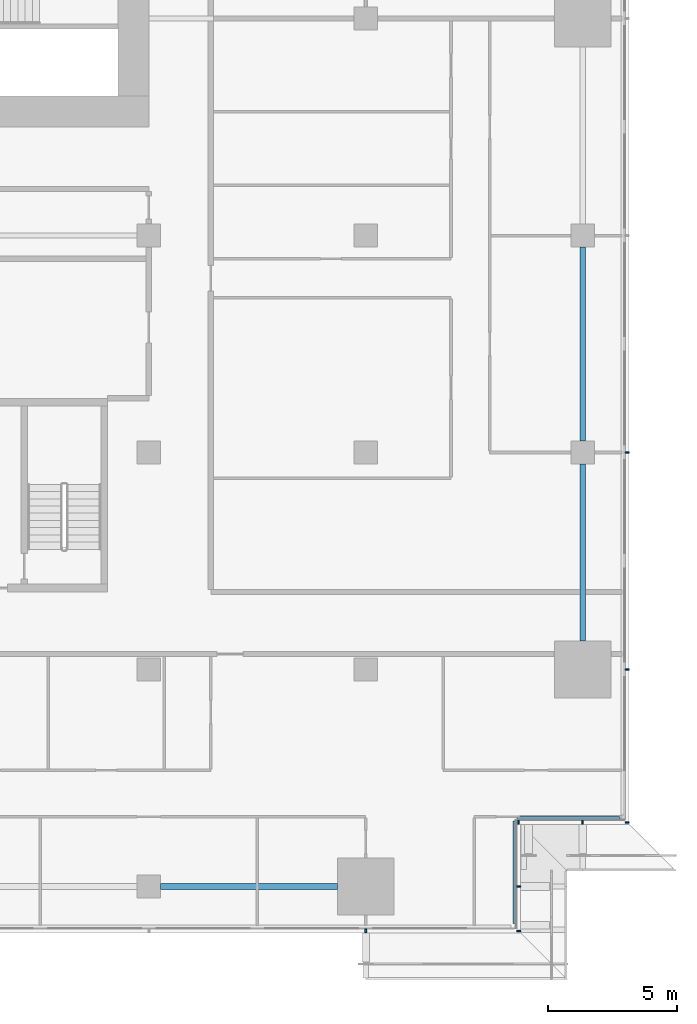
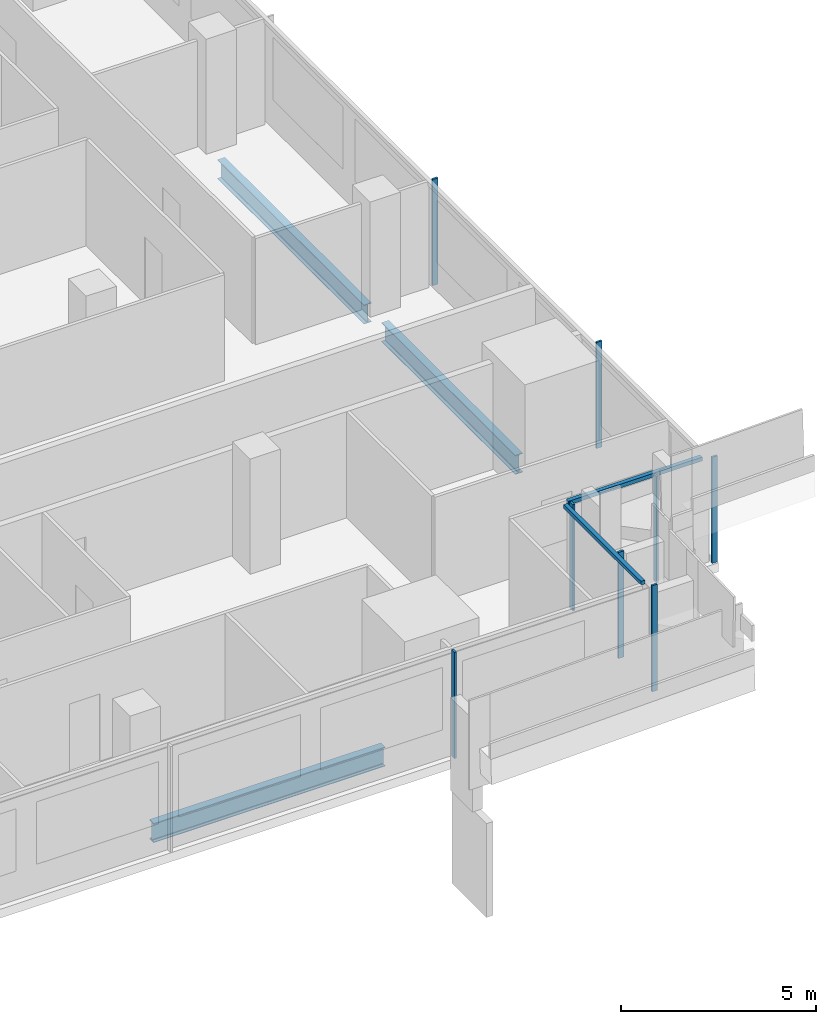
# One storey, part 13 of 30: 10 members, 3 beams, 4 elements without a shape of their own.
"""IFC4 building model written with IfcOpenShell, lengths in metres."""

import ifcopenshell
import ifcopenshell.guid

model = None  # the IFC model being written
_history = None  # IfcOwnerHistory: only IFC2X3 demands one
_inside = {}  # id of a spatial element -> (the spatial element, [elements in it])
_under = {}  # id of a project, library or spatial element -> (it, [spatial elements below it])
_declared = {}  # id of a project -> (the project, [libraries it declares])
_typed = {}  # id of a type object -> (the type object, [elements of that type])
_made_of = {}  # id of a material, layer set ... -> (it, [elements and type objects made of it])


def new_model(schema):
    """Start an empty IFC model of exactly this schema.

    Asked for "IFC4X3", IfcOpenShell would pick the latest addendum, in which some entities
    have other attributes; the version numbers below select the first issue.
    IFC2X3 requires an IfcOwnerHistory on every rooted entity: one is made here for all.
    """
    global model, _history
    if schema == "IFC4X3":
        model = ifcopenshell.file(schema_version=(4, 3, 0, 0))
    else:
        model = ifcopenshell.file(schema=schema)
    _inside.clear()
    _under.clear()
    _declared.clear()
    _typed.clear()
    _made_of.clear()
    _history = None
    if model.schema == "IFC2X3":
        org = make("IfcOrganization", Name="unknown")
        user = make(
            "IfcPersonAndOrganization",
            ThePerson=make("IfcPerson", FamilyName="unknown"),
            TheOrganization=org,
        )
        app = make(
            "IfcApplication",
            ApplicationDeveloper=org,
            Version="unknown",
            ApplicationFullName="unknown",
            ApplicationIdentifier="unknown",
        )
        _history = make(
            "IfcOwnerHistory",
            OwningUser=user,
            OwningApplication=app,
            ChangeAction="ADDED",
            CreationDate=0,
        )
    return model


def make(cls, **values):
    """One entity of the class cls with the attributes given. An attribute that is None is left unset."""
    return model.create_entity(
        cls, **{name: value for name, value in values.items() if value is not None}
    )


def rooted(cls, **values):
    """An entity with a GlobalId (a new one), such as an element, a storey or a relation."""
    return make(cls, GlobalId=ifcopenshell.guid.new(), OwnerHistory=_history, **values)


def si_unit(unit_type, name, prefix=None):
    """IfcSIUnit, for example si_unit("LENGTHUNIT", "METRE", prefix="MILLI")."""
    return make("IfcSIUnit", UnitType=unit_type, Prefix=prefix, Name=name)


def assignment(units):
    """IfcUnitAssignment: the units of a project."""
    return None if units is None else make("IfcUnitAssignment", Units=units)


def point(xyz):
    """IfcCartesianPoint."""
    return None if xyz is None else make("IfcCartesianPoint", Coordinates=xyz)


def direction(xyz):
    """IfcDirection."""
    return None if xyz is None else make("IfcDirection", DirectionRatios=xyz)


def frame(location, z_axis=None, x_axis=None):
    """IfcAxis2Placement3D, a coordinate frame: its origin and axes. An axis left out is left unset."""
    return make(
        "IfcAxis2Placement3D",
        Location=point(location),
        Axis=direction(z_axis),
        RefDirection=direction(x_axis),
    )


def frame_2d(location, x_axis=None):
    """IfcAxis2Placement2D, a coordinate frame in the plane: its origin and x axis."""
    return make(
        "IfcAxis2Placement2D", Location=point(location), RefDirection=direction(x_axis)
    )


def origin():
    """The frame at (0, 0, 0) with its axes left unset."""
    return frame((0.0, 0.0, 0.0))


def origin_2d():
    """The frame at (0, 0) in the plane with its x axis left unset."""
    return frame_2d((0.0, 0.0))


def place(relative_to, where):
    """IfcLocalPlacement: puts the frame where relative to a parent placement (None: the world)."""
    return make(
        "IfcLocalPlacement", PlacementRelTo=relative_to, RelativePlacement=where
    )


def context(
    kind, dimensions, precision=None, world=None, true_north=None, identifier=None
):
    """IfcGeometricRepresentationContext, for example the 3D "Model" context."""
    return make(
        "IfcGeometricRepresentationContext",
        ContextIdentifier=identifier,
        ContextType=kind,
        CoordinateSpaceDimension=dimensions,
        Precision=precision,
        WorldCoordinateSystem=world,
        TrueNorth=true_north,
    )


def subcontext(parent, identifier, kind, view, scale=None):
    """IfcGeometricRepresentationSubContext, for example "Body" below "Model"."""
    return make(
        "IfcGeometricRepresentationSubContext",
        ContextIdentifier=identifier,
        ContextType=kind,
        ParentContext=parent,
        TargetScale=scale,
        TargetView=view,
    )


def project(units=None, contexts=None):
    """IfcProject with its units and contexts."""
    return rooted(
        "IfcProject",
        Name="project",
        RepresentationContexts=contexts,
        UnitsInContext=assignment(units),
    )


def spatial(cls, under=None, at=None, **own):
    """A site, building, storey or space (cls), placed at a placement, below another one or the project."""
    s = rooted(cls, ObjectPlacement=at, **own)
    if under is not None:
        _under.setdefault(under.id(), (under, []))[1].append(s)
    return s


def profile(cls, at=None, kind="AREA", **sizes):
    """A parametric profile (cls). Its sizes go by their IFC names, for example OverallWidth=200.0."""
    return make(cls, ProfileType=kind, Position=at, **sizes)


def rectangle(**sizes):
    """IfcRectangleProfileDef."""
    return profile("IfcRectangleProfileDef", **sizes)


def i_section(**sizes):
    """IfcIShapeProfileDef."""
    return profile("IfcIShapeProfileDef", **sizes)


def extrude(swept, where, along, depth):
    """IfcExtrudedAreaSolid: the profile swept, set in the frame where, extruded along a direction by depth."""
    return make(
        "IfcExtrudedAreaSolid",
        SweptArea=swept,
        Position=where,
        ExtrudedDirection=direction(along),
        Depth=depth,
    )


def shape(context_of_items, identifier, shape_type, items):
    """IfcShapeRepresentation: the items that make up one representation, for example the "Body"."""
    return make(
        "IfcShapeRepresentation",
        ContextOfItems=context_of_items,
        RepresentationIdentifier=identifier,
        RepresentationType=shape_type,
        Items=items,
    )


def material(Name=None, Category=None):
    """IfcMaterial."""
    return make("IfcMaterial", Name=Name, Category=Category)


def material_profile(
    of_material, cross_section, Name=None, Category=None, Priority=None
):
    """IfcMaterialProfile: a cross section and its material."""
    return make(
        "IfcMaterialProfile",
        Name=Name,
        Material=of_material,
        Profile=cross_section,
        Priority=Priority,
        Category=Category,
    )


def profile_set(profiles, Name=None, composite=None):
    """IfcMaterialProfileSet."""
    return make(
        "IfcMaterialProfileSet",
        Name=Name,
        MaterialProfiles=profiles,
        CompositeProfile=composite,
    )


def made_of(thing, what):
    """Note that an element or type object is made of a material, layer set ...; save() writes the relation."""
    if what is not None:
        _made_of.setdefault(what.id(), (what, []))[1].append(thing)
    return thing


def type_object(cls, material=None, **own):
    """A type object (cls), such as IfcWallType, which elements share."""
    return made_of(rooted(cls, **own), material)


def element(
    cls,
    number,
    at=None,
    inside=None,
    cuts=None,
    type_object=None,
    material=None,
    context=None,
    identifier="Body",
    shape_type=None,
    held_by="IfcProductDefinitionShape",
    body=None,
    shapes=None,
    **own,
):
    """One element of the class cls, such as IfcWall. Its Tag is "e" and its number.

    at: its placement. inside: the storey or other place that contains it. cuts: it is an
    opening in that element (IfcRelVoidsElement). A single representation is given by context,
    identifier, shape_type and body (its items); several are given by shapes. held_by: the class
    of the entity that holds the representations. save() writes the other relations.
    """
    e = rooted(cls, Tag="e%d" % number, ObjectPlacement=at, **own)
    if body is not None:
        shapes = [shape(context, identifier, shape_type, body)]
    if shapes is not None:
        e.Representation = make(held_by, Representations=shapes)
    if inside is not None:
        _inside.setdefault(inside.id(), (inside, []))[1].append(e)
    if cuts is not None:
        rooted(
            "IfcRelVoidsElement", RelatingBuildingElement=cuts, RelatedOpeningElement=e
        )
    if type_object is not None:
        _typed.setdefault(type_object.id(), (type_object, []))[1].append(e)
    return made_of(e, material)


def aggregate(whole, parts):
    """IfcRelAggregates: a whole, such as a stair, and the parts it consists of."""
    return rooted("IfcRelAggregates", RelatingObject=whole, RelatedObjects=parts)


def save(model, path):
    """Write the relations noted so far, then the file.

    IfcRelAggregates (storeys below a building ...), IfcRelContainedInSpatialStructure (elements
    in a storey), IfcRelDefinesByType, IfcRelAssociatesMaterial and IfcRelDeclares: one each for
    every whole, place, type object, material and project.
    """
    for whole, parts in _under.values():
        aggregate(whole, parts)
    for where, things in _inside.values():
        rooted(
            "IfcRelContainedInSpatialStructure",
            RelatedElements=things,
            RelatingStructure=where,
        )
    for kind, things in _typed.values():
        rooted("IfcRelDefinesByType", RelatedObjects=things, RelatingType=kind)
    for what, things in _made_of.values():
        rooted("IfcRelAssociatesMaterial", RelatedObjects=things, RelatingMaterial=what)
    for by, libraries in _declared.values():
        rooted("IfcRelDeclares", RelatingContext=by, RelatedDefinitions=libraries)
    model.write(path)


model = new_model("IFC4")

# Units and contexts
model_context = context("Model", 3, precision=1e-05, world=origin(), true_north=direction((0.0, 1.0)))
body_context = subcontext(model_context, "Body", "Model", "MODEL_VIEW")
ifc_project = project(units=[si_unit("LENGTHUNIT", "METRE"), si_unit("AREAUNIT", "SQUARE_METRE"), si_unit("VOLUMEUNIT", "CUBIC_METRE"), si_unit("PLANEANGLEUNIT", "RADIAN"), si_unit("MASSUNIT", "GRAM", prefix="KILO")], contexts=[model_context])

# Site, building, storey
site_placement = place(None, origin())
site = spatial("IfcSite", under=ifc_project, at=site_placement, CompositionType="ELEMENT")
building_placement = place(site_placement, origin())
building = spatial("IfcBuilding", under=site, at=building_placement, Name="Saffron Gate Tower", CompositionType="ELEMENT")
storey_placement = place(building_placement, frame((0.0, 0.0, 69.60009765625)))
storey = spatial("IfcBuildingStorey", under=building, at=storey_placement, Name="L16", CompositionType="ELEMENT", Elevation=69.60009765625)

# Beams
ifc_material_1 = material(Name="Structural steel S355", Category="steel")
ifc_material_profile_1 = material_profile(ifc_material_1, i_section(OverallWidth=0.219970703125, OverallDepth=0.60009765625, WebThickness=0.011962890625, FlangeThickness=0.01904296875, FilletRadius=0.02392578125, at=origin_2d()))
ifc_profile_set_1 = profile_set([ifc_material_profile_1], Name="Structural steel S355")
beam_type = type_object("IfcBeamType", Name="B16 IPE 600", PredefinedType="SPANDREL", material=ifc_profile_set_1)
for number, where, z_axis, x_axis, name in (
    (1, (109.050048828125, 31.800048828125, -0.580078125), (1.0, 0.0, 0.0), (0.0, 1.0, 0.0), "B16 SPANDREL BEAM"),
    (2, (125.39990234375, 41.300048828125, -0.580078125), (0.0, 1.0, 0.0), (-1.0, 0.0, 0.0), "B16 SPANDREL BEAM"),
):
    element("IfcBeam", number, at=place(storey_placement, frame(where, z_axis=z_axis, x_axis=x_axis)), inside=storey, type_object=beam_type, Name=name, PredefinedType="SPANDREL", context=body_context, shape_type="SweptSolid", body=[
        extrude(i_section(OverallWidth=0.219970703125, OverallDepth=0.60009765625, WebThickness=0.011962890625, FlangeThickness=0.01904296875, FilletRadius=0.02392578125, at=origin_2d()), origin(), (0.0, 0.0, 1.0), 6.849853515625),
    ])
beam_placement = place(storey_placement, frame((125.39990234375, 49.050048828125, -0.580078125), z_axis=(0.0, 1.0, 0.0), x_axis=(-1.0, 0.0, 0.0)))
element("IfcBeam", 3, at=beam_placement, inside=storey, type_object=beam_type, Name="B16 SPANDREL BEAM", PredefinedType="SPANDREL", context=body_context, shape_type="SweptSolid", body=[
    extrude(i_section(OverallWidth=0.219970703125, OverallDepth=0.60009765625, WebThickness=0.011962890625, FlangeThickness=0.01904296875, FilletRadius=0.02392578125, at=origin_2d()), origin(), (0.0, 0.0, 1.0), 7.5),
])

# Curtain wall, member
ifc_material_2 = material(Name="Aluminium, bronze anodised", Category="aluminium")
curtain_wall_type_1 = type_object("IfcCurtainWallType", Name="CWS1 curtain wall front facade", PredefinedType="NOTDEFINED", material=ifc_material_2)
curtain_wall_1_placement = place(storey_placement, origin())
curtain_wall_1 = element("IfcCurtainWall", 4, at=curtain_wall_1_placement, inside=storey, type_object=curtain_wall_type_1, Name="CWS1 run 1", PredefinedType="NOTDEFINED")
ifc_material_profile_2 = material_profile(ifc_material_2, rectangle(XDim=0.159912109375, YDim=0.06005859375, at=origin_2d()))
ifc_profile_set_2 = profile_set([ifc_material_profile_2], Name="Aluminium, bronze anodised")
member_type_1 = type_object("IfcMemberType", Name="CWS1 mullion 60x160", PredefinedType="MULLION", material=ifc_profile_set_2)
member_1_placement = place(storey_placement, frame((117.0, 30.080078125, 0.0), z_axis=(0.0, 0.0, 1.0), x_axis=(0.0, 1.0, 0.0)))
member_1 = element("IfcMember", 5, at=member_1_placement, type_object=member_type_1, Name="CWS1 mullion 9", PredefinedType="MULLION", context=body_context, shape_type="SweptSolid", body=[
    extrude(rectangle(XDim=0.159912109375, YDim=0.06005859375, at=origin_2d()), origin(), (0.0, 0.0, 1.0), 3.31982421875),
])
aggregate(curtain_wall_1, [member_1])

# Curtain wall, members
curtain_wall_type_2 = type_object("IfcCurtainWallType", Name="CWS2 curtain wall side facades", PredefinedType="NOTDEFINED", material=ifc_material_2)
curtain_wall_2_placement = place(storey_placement, origin())
curtain_wall_2 = element("IfcCurtainWall", 6, at=curtain_wall_2_placement, inside=storey, type_object=curtain_wall_type_2, Name="CWS2 run 4", PredefinedType="NOTDEFINED")
ifc_material_profile_3 = material_profile(ifc_material_2, rectangle(XDim=0.159912109375, YDim=0.06005859375, at=origin_2d()))
ifc_profile_set_3 = profile_set([ifc_material_profile_3], Name="Aluminium, bronze anodised")
member_type_2 = type_object("IfcMemberType", Name="CWS2 mullion 60x160", PredefinedType="MULLION", material=ifc_profile_set_3)
member_2_placement = place(storey_placement, frame((127.1201171875, 34.280029296875, 0.0), z_axis=(0.0, 0.0, 1.0), x_axis=(-1.0, 0.0, 0.0)))
member_2 = element("IfcMember", 7, at=member_2_placement, type_object=member_type_2, Name="CWS2 mullion 1", PredefinedType="MULLION", context=body_context, shape_type="SweptSolid", body=[
    extrude(rectangle(XDim=0.159912109375, YDim=0.06005859375, at=origin_2d()), origin(), (0.0, 0.0, 1.0), 3.31982421875),
])
member_3_placement = place(storey_placement, frame((127.1201171875, 40.199951171875, 0.0), z_axis=(0.0, 0.0, 1.0), x_axis=(-1.0, 0.0, 0.0)))
member_3 = element("IfcMember", 8, at=member_3_placement, type_object=member_type_2, Name="CWS2 mullion 2", PredefinedType="MULLION", context=body_context, shape_type="SweptSolid", body=[
    extrude(rectangle(XDim=0.159912109375, YDim=0.06005859375, at=origin_2d()), origin(), (0.0, 0.0, 1.0), 3.31982421875),
])
member_4_placement = place(storey_placement, frame((127.1201171875, 48.60009765625, 0.0), z_axis=(0.0, 0.0, 1.0), x_axis=(-1.0, 0.0, 0.0)))
member_4 = element("IfcMember", 9, at=member_4_placement, type_object=member_type_2, Name="CWS2 mullion 3", PredefinedType="MULLION", context=body_context, shape_type="SweptSolid", body=[
    extrude(rectangle(XDim=0.159912109375, YDim=0.06005859375, at=origin_2d()), origin(), (0.0, 0.0, 1.0), 3.31982421875),
])
aggregate(curtain_wall_2, [member_2, member_3, member_4])

# Curtain wall, member
curtain_wall_type_3 = type_object("IfcCurtainWallType", Name="CWS4 curtain wall corner returns", PredefinedType="NOTDEFINED", material=ifc_material_2)
curtain_wall_3_placement = place(storey_placement, origin())
curtain_wall_3 = element("IfcCurtainWall", 10, at=curtain_wall_3_placement, inside=storey, type_object=curtain_wall_type_3, Name="CWS4 run 2", PredefinedType="NOTDEFINED")
ifc_material_profile_4 = material_profile(ifc_material_2, rectangle(XDim=0.1201171875, YDim=0.1201171875, at=origin_2d()))
ifc_profile_set_4 = profile_set([ifc_material_profile_4], Name="Aluminium, bronze anodised")
member_type_3 = type_object("IfcMemberType", Name="CWS4 head transom", PredefinedType="USERDEFINED", material=ifc_profile_set_4)
member_5_placement = place(storey_placement, frame((122.751953125, 30.367919921875, 3.260009765625), z_axis=(0.0, 1.0, 0.0), x_axis=(-1.0, 0.0, 0.0)))
member_5 = element("IfcMember", 11, at=member_5_placement, type_object=member_type_3, Name="CWS4 head transom", ObjectType="TRANSOM", PredefinedType="USERDEFINED", context=body_context, shape_type="SweptSolid", body=[
    extrude(rectangle(XDim=0.1201171875, YDim=0.1201171875, at=origin_2d()), origin(), (0.0, 0.0, 1.0), 3.9599609375),
])

curtain_wall_4_placement = place(storey_placement, origin())
curtain_wall_4 = element("IfcCurtainWall", 12, at=curtain_wall_4_placement, inside=storey, type_object=curtain_wall_type_3, Name="CWS4 run 3", PredefinedType="NOTDEFINED")
member_6_placement = place(storey_placement, frame((122.8720703125, 34.447998046875, 3.260009765625), z_axis=(1.0, 0.0, 0.0), x_axis=(0.0, 1.0, 0.0)))
member_6 = element("IfcMember", 13, at=member_6_placement, type_object=member_type_3, Name="CWS4 head transom", ObjectType="TRANSOM", PredefinedType="USERDEFINED", context=body_context, shape_type="SweptSolid", body=[
    extrude(rectangle(XDim=0.1201171875, YDim=0.1201171875, at=origin_2d()), origin(), (0.0, 0.0, 1.0), 3.9599609375),
])

# Member
ifc_material_profile_5 = material_profile(ifc_material_2, rectangle(XDim=0.159912109375, YDim=0.06005859375, at=origin_2d()))
ifc_profile_set_5 = profile_set([ifc_material_profile_5], Name="Aluminium, bronze anodised")
member_type_4 = type_object("IfcMemberType", Name="CWS4 mullion 60x160", PredefinedType="MULLION", material=ifc_profile_set_5)
member_7_placement = place(storey_placement, frame((122.919921875, 30.080078125, 0.0), z_axis=(0.0, 0.0, 1.0), x_axis=(-1.0, 0.0, 0.0)))
member_7 = element("IfcMember", 14, at=member_7_placement, type_object=member_type_4, Name="CWS4 mullion 1", PredefinedType="MULLION", context=body_context, shape_type="SweptSolid", body=[
    extrude(rectangle(XDim=0.159912109375, YDim=0.06005859375, at=origin_2d()), origin(), (0.0, 0.0, 1.0), 3.31982421875),
])

member_8_placement = place(storey_placement, frame((122.919921875, 31.800048828125, 0.0), z_axis=(0.0, 0.0, 1.0), x_axis=(-1.0, 0.0, 0.0)))
member_8 = element("IfcMember", 15, at=member_8_placement, type_object=member_type_4, Name="CWS4 mullion 2", PredefinedType="MULLION", context=body_context, shape_type="SweptSolid", body=[
    extrude(rectangle(XDim=0.159912109375, YDim=0.06005859375, at=origin_2d()), origin(), (0.0, 0.0, 1.0), 3.31982421875),
])

aggregate(curtain_wall_3, [member_7, member_8, member_5])

member_9_placement = place(storey_placement, frame((122.919921875, 34.280029296875, 0.0), z_axis=(0.0, 0.0, 1.0), x_axis=(0.0, 1.0, 0.0)))
member_9 = element("IfcMember", 16, at=member_9_placement, type_object=member_type_4, Name="CWS4 mullion 1", PredefinedType="MULLION", context=body_context, shape_type="SweptSolid", body=[
    extrude(rectangle(XDim=0.159912109375, YDim=0.06005859375, at=origin_2d()), origin(), (0.0, 0.0, 1.0), 3.31982421875),
])

member_10_placement = place(storey_placement, frame((125.39990234375, 34.280029296875, 0.0), z_axis=(0.0, 0.0, 1.0), x_axis=(0.0, 1.0, 0.0)))
member_10 = element("IfcMember", 17, at=member_10_placement, type_object=member_type_4, Name="CWS4 mullion 2", PredefinedType="MULLION", context=body_context, shape_type="SweptSolid", body=[
    extrude(rectangle(XDim=0.159912109375, YDim=0.06005859375, at=origin_2d()), origin(), (0.0, 0.0, 1.0), 3.31982421875),
])

aggregate(curtain_wall_4, [member_9, member_10, member_6])

save(model, "model.ifc")
